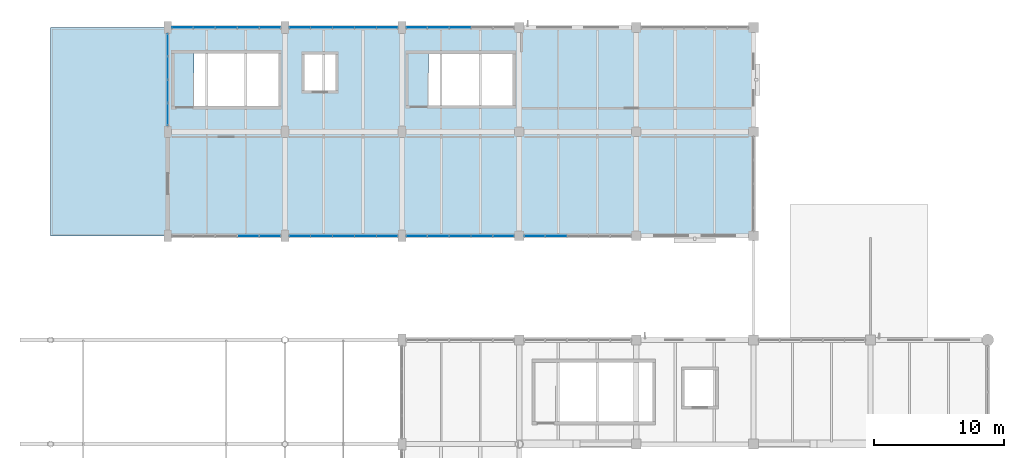
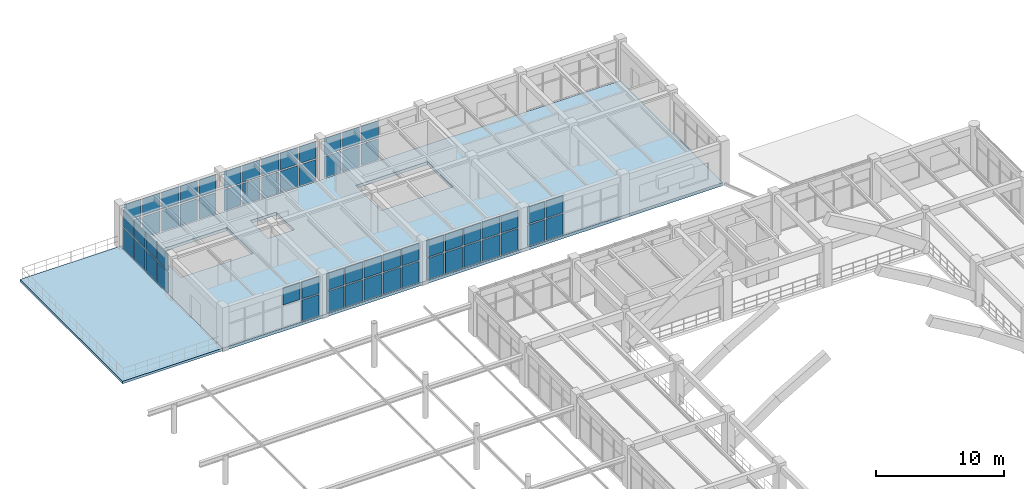
# One storey, part 119 of 148: 61 plates, 2 slabs, 8 elements without a shape of their own.
"""IFC4 building model written with IfcOpenShell, lengths in metres."""

from ifc_helpers import new_model, si_unit, derived_unit, direction, frame, origin, origin_2d, place, context, subcontext, project, spatial, polyline, rectangle, outline, extrude, material, layer, layer_set, type_object, element, aggregate, save


model = new_model("IFC4")

# Units and contexts
model_context = context("Model", 3, precision=1e-05, world=origin(), true_north=direction((0.0, 1.0)))
body_context = subcontext(model_context, "Body", "Model", "MODEL_VIEW")
ifc_project = project(units=[si_unit("LENGTHUNIT", "METRE"), si_unit("AREAUNIT", "SQUARE_METRE"), si_unit("VOLUMEUNIT", "CUBIC_METRE"), si_unit("PLANEANGLEUNIT", "RADIAN"), si_unit("MASSUNIT", "GRAM", prefix="KILO"), derived_unit("THERMALTRANSMITTANCEUNIT", [(si_unit("MASSUNIT", "GRAM", prefix="KILO"), 1), (si_unit("TIMEUNIT", "SECOND"), -3), (si_unit("THERMODYNAMICTEMPERATUREUNIT", "KELVIN"), -1)])], contexts=[model_context])

# Site, building, storey
site_placement = place(None, origin())
site = spatial("IfcSite", under=ifc_project, at=site_placement, CompositionType="ELEMENT")
building_placement = place(site_placement, origin())
building = spatial("IfcBuilding", under=site, at=building_placement, Name="Zhenchuan Archway Interchange", CompositionType="ELEMENT")
storey_placement = place(building_placement, frame((0.0, 0.0, 10.199951171875)))
storey = spatial("IfcBuildingStorey", under=building, at=storey_placement, Name="L02", CompositionType="ELEMENT", Elevation=10.199951171875)

# Curtain wall, plates
ifc_material_1 = material(Name="Anodised Aluminium", Category="aluminium")
curtain_wall_type_1 = type_object("IfcCurtainWallType", Name="CW_UNIT_3", PredefinedType="NOTDEFINED", material=ifc_material_1)
curtain_wall_1_placement = place(storey_placement, origin())
curtain_wall_1 = element("IfcCurtainWall", 1, at=curtain_wall_1_placement, inside=storey, type_object=curtain_wall_type_1, Name="Unitised curtain wall CW:L02:134", PredefinedType="NOTDEFINED")
ifc_material_2 = material(Name="Double Low-E Insulated Glazing", Category="glass")
ifc_layer_1 = layer(ifc_material_2, 0.028076171875)
ifc_layer_set_1 = layer_set([ifc_layer_1], Name="Double Low-E Insulated Glazing")
plate_type_1 = type_object("IfcPlateType", Name="CW_GLZ_1", PredefinedType="CURTAIN_PANEL", material=ifc_layer_set_1)
plate_1_placement = place(storey_placement, frame((38.837158203125, 96.0, 0.080078125), z_axis=(0.0, 0.0, 1.0), x_axis=(-1.0, 0.0, 0.0)))
plate_1 = element("IfcPlate", 2, at=plate_1_placement, type_object=plate_type_1, Name="CW:L02:134 lower glazing panel 3", PredefinedType="CURTAIN_PANEL", context=body_context, shape_type="SweptSolid", body=[
    extrude(rectangle(XDim=1.522705078125, YDim=0.028076171875, at=origin_2d()), origin(), (0.0, 0.0, 1.0), 2.01611328125),
])
plate_2_placement = place(storey_placement, frame((37.184326171875, 96.0, 0.080078125), z_axis=(0.0, 0.0, 1.0), x_axis=(-1.0, 0.0, 0.0)))
plate_2 = element("IfcPlate", 3, at=plate_2_placement, type_object=plate_type_1, Name="CW:L02:134 lower glazing panel 4", PredefinedType="CURTAIN_PANEL", context=body_context, shape_type="SweptSolid", body=[
    extrude(rectangle(XDim=1.502685546875, YDim=0.028076171875, at=origin_2d()), origin(), (0.0, 0.0, 1.0), 2.01611328125),
])

curtain_wall_type_2 = type_object("IfcCurtainWallType", Name="CW_UNIT_4", PredefinedType="NOTDEFINED", material=ifc_material_1)
curtain_wall_2_placement = place(storey_placement, origin())
curtain_wall_2 = element("IfcCurtainWall", 4, at=curtain_wall_2_placement, inside=storey, type_object=curtain_wall_type_2, Name="Unitised curtain wall CW:L02:135", PredefinedType="NOTDEFINED")
plate_3_placement = place(storey_placement, frame((34.80810546875, 96.0, 0.080078125), z_axis=(0.0, 0.0, 1.0), x_axis=(-1.0, 0.0, 0.0)))
plate_3 = element("IfcPlate", 5, at=plate_3_placement, type_object=plate_type_1, Name="CW:L02:135 lower glazing panel 0", PredefinedType="CURTAIN_PANEL", context=body_context, shape_type="SweptSolid", body=[
    extrude(rectangle(XDim=1.517822265625, YDim=0.028076171875, at=origin_2d()), origin(), (0.0, 0.0, 1.0), 2.01611328125),
])
plate_4_placement = place(storey_placement, frame((33.140380859375, 96.0, 0.080078125), z_axis=(0.0, 0.0, 1.0), x_axis=(-1.0, 0.0, 0.0)))
plate_4 = element("IfcPlate", 6, at=plate_4_placement, type_object=plate_type_1, Name="CW:L02:135 lower glazing panel 1", PredefinedType="CURTAIN_PANEL", context=body_context, shape_type="SweptSolid", body=[
    extrude(rectangle(XDim=1.537841796875, YDim=0.028076171875, at=origin_2d()), origin(), (0.0, 0.0, 1.0), 2.01611328125),
])
plate_5_placement = place(storey_placement, frame((31.46240234375, 96.0, 0.080078125), z_axis=(0.0, 0.0, 1.0), x_axis=(-1.0, 0.0, 0.0)))
plate_5 = element("IfcPlate", 7, at=plate_5_placement, type_object=plate_type_1, Name="CW:L02:135 lower glazing panel 2", PredefinedType="CURTAIN_PANEL", context=body_context, shape_type="SweptSolid", body=[
    extrude(rectangle(XDim=1.537841796875, YDim=0.028076171875, at=origin_2d()), origin(), (0.0, 0.0, 1.0), 2.01611328125),
])
plate_6_placement = place(storey_placement, frame((29.78466796875, 96.0, 0.080078125), z_axis=(0.0, 0.0, 1.0), x_axis=(-1.0, 0.0, 0.0)))
plate_6 = element("IfcPlate", 8, at=plate_6_placement, type_object=plate_type_1, Name="CW:L02:135 lower glazing panel 3", PredefinedType="CURTAIN_PANEL", context=body_context, shape_type="SweptSolid", body=[
    extrude(rectangle(XDim=1.537841796875, YDim=0.028076171875, at=origin_2d()), origin(), (0.0, 0.0, 1.0), 2.01611328125),
])
plate_7_placement = place(storey_placement, frame((28.116943359375, 96.0, 0.080078125), z_axis=(0.0, 0.0, 1.0), x_axis=(-1.0, 0.0, 0.0)))
plate_7 = element("IfcPlate", 9, at=plate_7_placement, type_object=plate_type_1, Name="CW:L02:135 lower glazing panel 4", PredefinedType="CURTAIN_PANEL", context=body_context, shape_type="SweptSolid", body=[
    extrude(rectangle(XDim=1.517822265625, YDim=0.028076171875, at=origin_2d()), origin(), (0.0, 0.0, 1.0), 2.01611328125),
])

curtain_wall_type_3 = type_object("IfcCurtainWallType", Name="CW_UNIT_1", PredefinedType="NOTDEFINED", material=ifc_material_1)
curtain_wall_3_placement = place(storey_placement, origin())
curtain_wall_3 = element("IfcCurtainWall", 10, at=curtain_wall_3_placement, inside=storey, type_object=curtain_wall_type_3, Name="Unitised curtain wall CW:L02:136", PredefinedType="NOTDEFINED")
plate_8_placement = place(storey_placement, frame((25.87548828125, 96.0, 0.080078125), z_axis=(0.0, 0.0, 1.0), x_axis=(-1.0, 0.0, 0.0)))
plate_8 = element("IfcPlate", 11, at=plate_8_placement, type_object=plate_type_1, Name="CW:L02:136 lower glazing panel 0", PredefinedType="CURTAIN_PANEL", context=body_context, shape_type="SweptSolid", body=[
    extrude(rectangle(XDim=1.53271484375, YDim=0.028076171875, at=origin_2d()), origin(), (0.0, 0.0, 1.0), 2.01611328125),
])
plate_9_placement = place(storey_placement, frame((24.19287109375, 96.0, 0.080078125), z_axis=(0.0, 0.0, 1.0), x_axis=(-1.0, 0.0, 0.0)))
plate_9 = element("IfcPlate", 12, at=plate_9_placement, type_object=plate_type_1, Name="CW:L02:136 lower glazing panel 1", PredefinedType="CURTAIN_PANEL", context=body_context, shape_type="SweptSolid", body=[
    extrude(rectangle(XDim=1.552734375, YDim=0.028076171875, at=origin_2d()), origin(), (0.0, 0.0, 1.0), 2.01611328125),
])
plate_10_placement = place(storey_placement, frame((22.5, 96.0, 0.080078125), z_axis=(0.0, 0.0, 1.0), x_axis=(-1.0, 0.0, 0.0)))
plate_10 = element("IfcPlate", 13, at=plate_10_placement, type_object=plate_type_1, Name="CW:L02:136 lower glazing panel 2", PredefinedType="CURTAIN_PANEL", context=body_context, shape_type="SweptSolid", body=[
    extrude(rectangle(XDim=1.552734375, YDim=0.028076171875, at=origin_2d()), origin(), (0.0, 0.0, 1.0), 2.01611328125),
])
plate_11_placement = place(storey_placement, frame((20.80712890625, 96.0, 0.080078125), z_axis=(0.0, 0.0, 1.0), x_axis=(-1.0, 0.0, 0.0)))
plate_11 = element("IfcPlate", 14, at=plate_11_placement, type_object=plate_type_1, Name="CW:L02:136 lower glazing panel 3", PredefinedType="CURTAIN_PANEL", context=body_context, shape_type="SweptSolid", body=[
    extrude(rectangle(XDim=1.552734375, YDim=0.028076171875, at=origin_2d()), origin(), (0.0, 0.0, 1.0), 2.01611328125),
])
plate_12_placement = place(storey_placement, frame((19.12451171875, 96.0, 0.080078125), z_axis=(0.0, 0.0, 1.0), x_axis=(-1.0, 0.0, 0.0)))
plate_12 = element("IfcPlate", 15, at=plate_12_placement, type_object=plate_type_1, Name="CW:L02:136 lower glazing panel 4", PredefinedType="CURTAIN_PANEL", context=body_context, shape_type="SweptSolid", body=[
    extrude(rectangle(XDim=1.53271484375, YDim=0.028076171875, at=origin_2d()), origin(), (0.0, 0.0, 1.0), 2.01611328125),
])

# Curtain wall, plate
curtain_wall_type_4 = type_object("IfcCurtainWallType", Name="CW_UNIT_2", PredefinedType="NOTDEFINED", material=ifc_material_1)
curtain_wall_4_placement = place(storey_placement, origin())
curtain_wall_4 = element("IfcCurtainWall", 16, at=curtain_wall_4_placement, inside=storey, type_object=curtain_wall_type_4, Name="Unitised curtain wall CW:L02:137", PredefinedType="NOTDEFINED")
plate_13_placement = place(storey_placement, frame((16.87548828125, 96.0, 0.080078125), z_axis=(0.0, 0.0, 1.0), x_axis=(-1.0, 0.0, 0.0)))
plate_13 = element("IfcPlate", 17, at=plate_13_placement, type_object=plate_type_1, Name="CW:L02:137 lower glazing panel 0", PredefinedType="CURTAIN_PANEL", context=body_context, shape_type="SweptSolid", body=[
    extrude(rectangle(XDim=1.53271484375, YDim=0.028076171875, at=origin_2d()), origin(), (0.0, 0.0, 1.0), 2.01611328125),
])

# Curtain wall, plates
curtain_wall_5_placement = place(storey_placement, origin())
curtain_wall_5 = element("IfcCurtainWall", 18, at=curtain_wall_5_placement, inside=storey, type_object=curtain_wall_type_2, Name="Unitised curtain wall CW:L02:139", PredefinedType="NOTDEFINED")
plate_14_placement = place(storey_placement, frame((10.12451171875, 112.0, 0.080078125), z_axis=(0.0, 0.0, 1.0), x_axis=(1.0, 0.0, 0.0)))
plate_14 = element("IfcPlate", 19, at=plate_14_placement, type_object=plate_type_1, Name="CW:L02:139 lower glazing panel 0", PredefinedType="CURTAIN_PANEL", context=body_context, shape_type="SweptSolid", body=[
    extrude(rectangle(XDim=1.53271484375, YDim=0.028076171875, at=origin_2d()), origin(), (0.0, 0.0, 1.0), 2.01611328125),
])
plate_15_placement = place(storey_placement, frame((11.80712890625, 112.0, 0.080078125), z_axis=(0.0, 0.0, 1.0), x_axis=(1.0, 0.0, 0.0)))
plate_15 = element("IfcPlate", 20, at=plate_15_placement, type_object=plate_type_1, Name="CW:L02:139 lower glazing panel 1", PredefinedType="CURTAIN_PANEL", context=body_context, shape_type="SweptSolid", body=[
    extrude(rectangle(XDim=1.552734375, YDim=0.028076171875, at=origin_2d()), origin(), (0.0, 0.0, 1.0), 2.01611328125),
])
plate_16_placement = place(storey_placement, frame((13.5, 112.0, 0.080078125), z_axis=(0.0, 0.0, 1.0), x_axis=(1.0, 0.0, 0.0)))
plate_16 = element("IfcPlate", 21, at=plate_16_placement, type_object=plate_type_1, Name="CW:L02:139 lower glazing panel 2", PredefinedType="CURTAIN_PANEL", context=body_context, shape_type="SweptSolid", body=[
    extrude(rectangle(XDim=1.552734375, YDim=0.028076171875, at=origin_2d()), origin(), (0.0, 0.0, 1.0), 2.01611328125),
])
plate_17_placement = place(storey_placement, frame((15.19287109375, 112.0, 0.080078125), z_axis=(0.0, 0.0, 1.0), x_axis=(1.0, 0.0, 0.0)))
plate_17 = element("IfcPlate", 22, at=plate_17_placement, type_object=plate_type_1, Name="CW:L02:139 lower glazing panel 3", PredefinedType="CURTAIN_PANEL", context=body_context, shape_type="SweptSolid", body=[
    extrude(rectangle(XDim=1.552734375, YDim=0.028076171875, at=origin_2d()), origin(), (0.0, 0.0, 1.0), 2.01611328125),
])
plate_18_placement = place(storey_placement, frame((16.87548828125, 112.0, 0.080078125), z_axis=(0.0, 0.0, 1.0), x_axis=(1.0, 0.0, 0.0)))
plate_18 = element("IfcPlate", 23, at=plate_18_placement, type_object=plate_type_1, Name="CW:L02:139 lower glazing panel 4", PredefinedType="CURTAIN_PANEL", context=body_context, shape_type="SweptSolid", body=[
    extrude(rectangle(XDim=1.53271484375, YDim=0.028076171875, at=origin_2d()), origin(), (0.0, 0.0, 1.0), 2.01611328125),
])

curtain_wall_6_placement = place(storey_placement, origin())
curtain_wall_6 = element("IfcCurtainWall", 24, at=curtain_wall_6_placement, inside=storey, type_object=curtain_wall_type_3, Name="Unitised curtain wall CW:L02:140", PredefinedType="NOTDEFINED")
plate_19_placement = place(storey_placement, frame((19.12451171875, 112.0, 0.080078125), z_axis=(0.0, 0.0, 1.0), x_axis=(1.0, 0.0, 0.0)))
plate_19 = element("IfcPlate", 25, at=plate_19_placement, type_object=plate_type_1, Name="CW:L02:140 lower glazing panel 0", PredefinedType="CURTAIN_PANEL", context=body_context, shape_type="SweptSolid", body=[
    extrude(rectangle(XDim=1.53271484375, YDim=0.028076171875, at=origin_2d()), origin(), (0.0, 0.0, 1.0), 2.01611328125),
])
plate_20_placement = place(storey_placement, frame((20.80712890625, 112.0, 0.080078125), z_axis=(0.0, 0.0, 1.0), x_axis=(1.0, 0.0, 0.0)))
plate_20 = element("IfcPlate", 26, at=plate_20_placement, type_object=plate_type_1, Name="CW:L02:140 lower glazing panel 1", PredefinedType="CURTAIN_PANEL", context=body_context, shape_type="SweptSolid", body=[
    extrude(rectangle(XDim=1.552734375, YDim=0.028076171875, at=origin_2d()), origin(), (0.0, 0.0, 1.0), 2.01611328125),
])
plate_21_placement = place(storey_placement, frame((22.5, 112.0, 0.080078125), z_axis=(0.0, 0.0, 1.0), x_axis=(1.0, 0.0, 0.0)))
plate_21 = element("IfcPlate", 27, at=plate_21_placement, type_object=plate_type_1, Name="CW:L02:140 lower glazing panel 2", PredefinedType="CURTAIN_PANEL", context=body_context, shape_type="SweptSolid", body=[
    extrude(rectangle(XDim=1.552734375, YDim=0.028076171875, at=origin_2d()), origin(), (0.0, 0.0, 1.0), 2.01611328125),
])
plate_22_placement = place(storey_placement, frame((24.19287109375, 112.0, 0.080078125), z_axis=(0.0, 0.0, 1.0), x_axis=(1.0, 0.0, 0.0)))
plate_22 = element("IfcPlate", 28, at=plate_22_placement, type_object=plate_type_1, Name="CW:L02:140 lower glazing panel 3", PredefinedType="CURTAIN_PANEL", context=body_context, shape_type="SweptSolid", body=[
    extrude(rectangle(XDim=1.552734375, YDim=0.028076171875, at=origin_2d()), origin(), (0.0, 0.0, 1.0), 2.01611328125),
])
plate_23_placement = place(storey_placement, frame((25.87548828125, 112.0, 0.080078125), z_axis=(0.0, 0.0, 1.0), x_axis=(1.0, 0.0, 0.0)))
plate_23 = element("IfcPlate", 29, at=plate_23_placement, type_object=plate_type_1, Name="CW:L02:140 lower glazing panel 4", PredefinedType="CURTAIN_PANEL", context=body_context, shape_type="SweptSolid", body=[
    extrude(rectangle(XDim=1.53271484375, YDim=0.028076171875, at=origin_2d()), origin(), (0.0, 0.0, 1.0), 2.01611328125),
])

curtain_wall_7_placement = place(storey_placement, origin())
curtain_wall_7 = element("IfcCurtainWall", 30, at=curtain_wall_7_placement, inside=storey, type_object=curtain_wall_type_4, Name="Unitised curtain wall CW:L02:141", PredefinedType="NOTDEFINED")
plate_24_placement = place(storey_placement, frame((28.116943359375, 112.0, 0.080078125), z_axis=(0.0, 0.0, 1.0), x_axis=(1.0, 0.0, 0.0)))
plate_24 = element("IfcPlate", 31, at=plate_24_placement, type_object=plate_type_1, Name="CW:L02:141 lower glazing panel 0", PredefinedType="CURTAIN_PANEL", context=body_context, shape_type="SweptSolid", body=[
    extrude(rectangle(XDim=1.517822265625, YDim=0.028076171875, at=origin_2d()), origin(), (0.0, 0.0, 1.0), 2.01611328125),
])
plate_25_placement = place(storey_placement, frame((29.78466796875, 112.0, 0.080078125), z_axis=(0.0, 0.0, 1.0), x_axis=(1.0, 0.0, 0.0)))
plate_25 = element("IfcPlate", 32, at=plate_25_placement, type_object=plate_type_1, Name="CW:L02:141 lower glazing panel 1", PredefinedType="CURTAIN_PANEL", context=body_context, shape_type="SweptSolid", body=[
    extrude(rectangle(XDim=1.537841796875, YDim=0.028076171875, at=origin_2d()), origin(), (0.0, 0.0, 1.0), 2.01611328125),
])
plate_26_placement = place(storey_placement, frame((31.46240234375, 112.0, 0.080078125), z_axis=(0.0, 0.0, 1.0), x_axis=(1.0, 0.0, 0.0)))
plate_26 = element("IfcPlate", 33, at=plate_26_placement, type_object=plate_type_1, Name="CW:L02:141 lower glazing panel 2", PredefinedType="CURTAIN_PANEL", context=body_context, shape_type="SweptSolid", body=[
    extrude(rectangle(XDim=1.537841796875, YDim=0.028076171875, at=origin_2d()), origin(), (0.0, 0.0, 1.0), 2.01611328125),
])

# Plate
ifc_layer_2 = layer(ifc_material_2, 0.02587890625)
ifc_layer_set_2 = layer_set([ifc_layer_2], Name="Double Low-E Insulated Glazing")
plate_type_2 = type_object("IfcPlateType", Name="CW_GLZ_2", PredefinedType="CURTAIN_PANEL", material=ifc_layer_set_2)
plate_27_placement = place(storey_placement, frame((38.837158203125, 96.0, 2.216064453125), z_axis=(0.0, 0.0, 1.0), x_axis=(-1.0, 0.0, 0.0)))
plate_27 = element("IfcPlate", 34, at=plate_27_placement, type_object=plate_type_2, Name="CW:L02:134 upper glazing panel 3", PredefinedType="CURTAIN_PANEL", context=body_context, shape_type="SweptSolid", body=[
    extrude(rectangle(XDim=1.522705078125, YDim=0.02587890625, at=origin_2d()), origin(), (0.0, 0.0, 1.0), 1.6240234375),
])

plate_28_placement = place(storey_placement, frame((37.184326171875, 96.0, 2.216064453125), z_axis=(0.0, 0.0, 1.0), x_axis=(-1.0, 0.0, 0.0)))
plate_28 = element("IfcPlate", 35, at=plate_28_placement, type_object=plate_type_2, Name="CW:L02:134 upper glazing panel 4", PredefinedType="CURTAIN_PANEL", context=body_context, shape_type="SweptSolid", body=[
    extrude(rectangle(XDim=1.502685546875, YDim=0.02587890625, at=origin_2d()), origin(), (0.0, 0.0, 1.0), 1.6240234375),
])

aggregate(curtain_wall_1, [plate_1, plate_27, plate_2, plate_28])

plate_29_placement = place(storey_placement, frame((34.80810546875, 96.0, 2.216064453125), z_axis=(0.0, 0.0, 1.0), x_axis=(-1.0, 0.0, 0.0)))
plate_29 = element("IfcPlate", 36, at=plate_29_placement, type_object=plate_type_2, Name="CW:L02:135 upper glazing panel 0", PredefinedType="CURTAIN_PANEL", context=body_context, shape_type="SweptSolid", body=[
    extrude(rectangle(XDim=1.517822265625, YDim=0.02587890625, at=origin_2d()), origin(), (0.0, 0.0, 1.0), 1.6240234375),
])

plate_30_placement = place(storey_placement, frame((33.140380859375, 96.0, 2.216064453125), z_axis=(0.0, 0.0, 1.0), x_axis=(-1.0, 0.0, 0.0)))
plate_30 = element("IfcPlate", 37, at=plate_30_placement, type_object=plate_type_2, Name="CW:L02:135 upper glazing panel 1", PredefinedType="CURTAIN_PANEL", context=body_context, shape_type="SweptSolid", body=[
    extrude(rectangle(XDim=1.537841796875, YDim=0.02587890625, at=origin_2d()), origin(), (0.0, 0.0, 1.0), 1.6240234375),
])

plate_31_placement = place(storey_placement, frame((31.46240234375, 96.0, 2.216064453125), z_axis=(0.0, 0.0, 1.0), x_axis=(-1.0, 0.0, 0.0)))
plate_31 = element("IfcPlate", 38, at=plate_31_placement, type_object=plate_type_2, Name="CW:L02:135 upper glazing panel 2", PredefinedType="CURTAIN_PANEL", context=body_context, shape_type="SweptSolid", body=[
    extrude(rectangle(XDim=1.537841796875, YDim=0.02587890625, at=origin_2d()), origin(), (0.0, 0.0, 1.0), 1.6240234375),
])

plate_32_placement = place(storey_placement, frame((29.78466796875, 96.0, 2.216064453125), z_axis=(0.0, 0.0, 1.0), x_axis=(-1.0, 0.0, 0.0)))
plate_32 = element("IfcPlate", 39, at=plate_32_placement, type_object=plate_type_2, Name="CW:L02:135 upper glazing panel 3", PredefinedType="CURTAIN_PANEL", context=body_context, shape_type="SweptSolid", body=[
    extrude(rectangle(XDim=1.537841796875, YDim=0.02587890625, at=origin_2d()), origin(), (0.0, 0.0, 1.0), 1.6240234375),
])

plate_33_placement = place(storey_placement, frame((28.116943359375, 96.0, 2.216064453125), z_axis=(0.0, 0.0, 1.0), x_axis=(-1.0, 0.0, 0.0)))
plate_33 = element("IfcPlate", 40, at=plate_33_placement, type_object=plate_type_2, Name="CW:L02:135 upper glazing panel 4", PredefinedType="CURTAIN_PANEL", context=body_context, shape_type="SweptSolid", body=[
    extrude(rectangle(XDim=1.517822265625, YDim=0.02587890625, at=origin_2d()), origin(), (0.0, 0.0, 1.0), 1.6240234375),
])

aggregate(curtain_wall_2, [plate_3, plate_29, plate_4, plate_30, plate_5, plate_31, plate_6, plate_32, plate_7, plate_33])

plate_34_placement = place(storey_placement, frame((25.87548828125, 96.0, 2.216064453125), z_axis=(0.0, 0.0, 1.0), x_axis=(-1.0, 0.0, 0.0)))
plate_34 = element("IfcPlate", 41, at=plate_34_placement, type_object=plate_type_2, Name="CW:L02:136 upper glazing panel 0", PredefinedType="CURTAIN_PANEL", context=body_context, shape_type="SweptSolid", body=[
    extrude(rectangle(XDim=1.53271484375, YDim=0.02587890625, at=origin_2d()), origin(), (0.0, 0.0, 1.0), 1.6240234375),
])

plate_35_placement = place(storey_placement, frame((24.19287109375, 96.0, 2.216064453125), z_axis=(0.0, 0.0, 1.0), x_axis=(-1.0, 0.0, 0.0)))
plate_35 = element("IfcPlate", 42, at=plate_35_placement, type_object=plate_type_2, Name="CW:L02:136 upper glazing panel 1", PredefinedType="CURTAIN_PANEL", context=body_context, shape_type="SweptSolid", body=[
    extrude(rectangle(XDim=1.552734375, YDim=0.02587890625, at=origin_2d()), origin(), (0.0, 0.0, 1.0), 1.6240234375),
])

plate_36_placement = place(storey_placement, frame((22.5, 96.0, 2.216064453125), z_axis=(0.0, 0.0, 1.0), x_axis=(-1.0, 0.0, 0.0)))
plate_36 = element("IfcPlate", 43, at=plate_36_placement, type_object=plate_type_2, Name="CW:L02:136 upper glazing panel 2", PredefinedType="CURTAIN_PANEL", context=body_context, shape_type="SweptSolid", body=[
    extrude(rectangle(XDim=1.552734375, YDim=0.02587890625, at=origin_2d()), origin(), (0.0, 0.0, 1.0), 1.6240234375),
])

plate_37_placement = place(storey_placement, frame((20.80712890625, 96.0, 2.216064453125), z_axis=(0.0, 0.0, 1.0), x_axis=(-1.0, 0.0, 0.0)))
plate_37 = element("IfcPlate", 44, at=plate_37_placement, type_object=plate_type_2, Name="CW:L02:136 upper glazing panel 3", PredefinedType="CURTAIN_PANEL", context=body_context, shape_type="SweptSolid", body=[
    extrude(rectangle(XDim=1.552734375, YDim=0.02587890625, at=origin_2d()), origin(), (0.0, 0.0, 1.0), 1.6240234375),
])

plate_38_placement = place(storey_placement, frame((19.12451171875, 96.0, 2.216064453125), z_axis=(0.0, 0.0, 1.0), x_axis=(-1.0, 0.0, 0.0)))
plate_38 = element("IfcPlate", 45, at=plate_38_placement, type_object=plate_type_2, Name="CW:L02:136 upper glazing panel 4", PredefinedType="CURTAIN_PANEL", context=body_context, shape_type="SweptSolid", body=[
    extrude(rectangle(XDim=1.53271484375, YDim=0.02587890625, at=origin_2d()), origin(), (0.0, 0.0, 1.0), 1.6240234375),
])

aggregate(curtain_wall_3, [plate_8, plate_34, plate_9, plate_35, plate_10, plate_36, plate_11, plate_37, plate_12, plate_38])

plate_39_placement = place(storey_placement, frame((16.87548828125, 96.0, 2.216064453125), z_axis=(0.0, 0.0, 1.0), x_axis=(-1.0, 0.0, 0.0)))
plate_39 = element("IfcPlate", 46, at=plate_39_placement, type_object=plate_type_2, Name="CW:L02:137 upper glazing panel 0", PredefinedType="CURTAIN_PANEL", context=body_context, shape_type="SweptSolid", body=[
    extrude(rectangle(XDim=1.53271484375, YDim=0.02587890625, at=origin_2d()), origin(), (0.0, 0.0, 1.0), 1.6240234375),
])

plate_40_placement = place(storey_placement, frame((15.19287109375, 96.0, 2.216064453125), z_axis=(0.0, 0.0, 1.0), x_axis=(-1.0, 0.0, 0.0)))
plate_40 = element("IfcPlate", 47, at=plate_40_placement, type_object=plate_type_2, Name="CW:L02:137 upper glazing panel 1", PredefinedType="CURTAIN_PANEL", context=body_context, shape_type="SweptSolid", body=[
    extrude(rectangle(XDim=1.552734375, YDim=0.02587890625, at=origin_2d()), origin(), (0.0, 0.0, 1.0), 1.6240234375),
])

aggregate(curtain_wall_4, [plate_13, plate_39, plate_40])

plate_41_placement = place(storey_placement, frame((10.12451171875, 112.0, 2.216064453125), z_axis=(0.0, 0.0, 1.0), x_axis=(1.0, 0.0, 0.0)))
plate_41 = element("IfcPlate", 48, at=plate_41_placement, type_object=plate_type_2, Name="CW:L02:139 upper glazing panel 0", PredefinedType="CURTAIN_PANEL", context=body_context, shape_type="SweptSolid", body=[
    extrude(rectangle(XDim=1.53271484375, YDim=0.02587890625, at=origin_2d()), origin(), (0.0, 0.0, 1.0), 1.6240234375),
])

plate_42_placement = place(storey_placement, frame((11.80712890625, 112.0, 2.216064453125), z_axis=(0.0, 0.0, 1.0), x_axis=(1.0, 0.0, 0.0)))
plate_42 = element("IfcPlate", 49, at=plate_42_placement, type_object=plate_type_2, Name="CW:L02:139 upper glazing panel 1", PredefinedType="CURTAIN_PANEL", context=body_context, shape_type="SweptSolid", body=[
    extrude(rectangle(XDim=1.552734375, YDim=0.02587890625, at=origin_2d()), origin(), (0.0, 0.0, 1.0), 1.6240234375),
])

plate_43_placement = place(storey_placement, frame((13.5, 112.0, 2.216064453125), z_axis=(0.0, 0.0, 1.0), x_axis=(1.0, 0.0, 0.0)))
plate_43 = element("IfcPlate", 50, at=plate_43_placement, type_object=plate_type_2, Name="CW:L02:139 upper glazing panel 2", PredefinedType="CURTAIN_PANEL", context=body_context, shape_type="SweptSolid", body=[
    extrude(rectangle(XDim=1.552734375, YDim=0.02587890625, at=origin_2d()), origin(), (0.0, 0.0, 1.0), 1.6240234375),
])

plate_44_placement = place(storey_placement, frame((15.19287109375, 112.0, 2.216064453125), z_axis=(0.0, 0.0, 1.0), x_axis=(1.0, 0.0, 0.0)))
plate_44 = element("IfcPlate", 51, at=plate_44_placement, type_object=plate_type_2, Name="CW:L02:139 upper glazing panel 3", PredefinedType="CURTAIN_PANEL", context=body_context, shape_type="SweptSolid", body=[
    extrude(rectangle(XDim=1.552734375, YDim=0.02587890625, at=origin_2d()), origin(), (0.0, 0.0, 1.0), 1.6240234375),
])

plate_45_placement = place(storey_placement, frame((16.87548828125, 112.0, 2.216064453125), z_axis=(0.0, 0.0, 1.0), x_axis=(1.0, 0.0, 0.0)))
plate_45 = element("IfcPlate", 52, at=plate_45_placement, type_object=plate_type_2, Name="CW:L02:139 upper glazing panel 4", PredefinedType="CURTAIN_PANEL", context=body_context, shape_type="SweptSolid", body=[
    extrude(rectangle(XDim=1.53271484375, YDim=0.02587890625, at=origin_2d()), origin(), (0.0, 0.0, 1.0), 1.6240234375),
])

aggregate(curtain_wall_5, [plate_14, plate_41, plate_15, plate_42, plate_16, plate_43, plate_17, plate_44, plate_18, plate_45])

plate_46_placement = place(storey_placement, frame((19.12451171875, 112.0, 2.216064453125), z_axis=(0.0, 0.0, 1.0), x_axis=(1.0, 0.0, 0.0)))
plate_46 = element("IfcPlate", 53, at=plate_46_placement, type_object=plate_type_2, Name="CW:L02:140 upper glazing panel 0", PredefinedType="CURTAIN_PANEL", context=body_context, shape_type="SweptSolid", body=[
    extrude(rectangle(XDim=1.53271484375, YDim=0.02587890625, at=origin_2d()), origin(), (0.0, 0.0, 1.0), 1.6240234375),
])

plate_47_placement = place(storey_placement, frame((20.80712890625, 112.0, 2.216064453125), z_axis=(0.0, 0.0, 1.0), x_axis=(1.0, 0.0, 0.0)))
plate_47 = element("IfcPlate", 54, at=plate_47_placement, type_object=plate_type_2, Name="CW:L02:140 upper glazing panel 1", PredefinedType="CURTAIN_PANEL", context=body_context, shape_type="SweptSolid", body=[
    extrude(rectangle(XDim=1.552734375, YDim=0.02587890625, at=origin_2d()), origin(), (0.0, 0.0, 1.0), 1.6240234375),
])

plate_48_placement = place(storey_placement, frame((22.5, 112.0, 2.216064453125), z_axis=(0.0, 0.0, 1.0), x_axis=(1.0, 0.0, 0.0)))
plate_48 = element("IfcPlate", 55, at=plate_48_placement, type_object=plate_type_2, Name="CW:L02:140 upper glazing panel 2", PredefinedType="CURTAIN_PANEL", context=body_context, shape_type="SweptSolid", body=[
    extrude(rectangle(XDim=1.552734375, YDim=0.02587890625, at=origin_2d()), origin(), (0.0, 0.0, 1.0), 1.6240234375),
])

plate_49_placement = place(storey_placement, frame((24.19287109375, 112.0, 2.216064453125), z_axis=(0.0, 0.0, 1.0), x_axis=(1.0, 0.0, 0.0)))
plate_49 = element("IfcPlate", 56, at=plate_49_placement, type_object=plate_type_2, Name="CW:L02:140 upper glazing panel 3", PredefinedType="CURTAIN_PANEL", context=body_context, shape_type="SweptSolid", body=[
    extrude(rectangle(XDim=1.552734375, YDim=0.02587890625, at=origin_2d()), origin(), (0.0, 0.0, 1.0), 1.6240234375),
])

plate_50_placement = place(storey_placement, frame((25.87548828125, 112.0, 2.216064453125), z_axis=(0.0, 0.0, 1.0), x_axis=(1.0, 0.0, 0.0)))
plate_50 = element("IfcPlate", 57, at=plate_50_placement, type_object=plate_type_2, Name="CW:L02:140 upper glazing panel 4", PredefinedType="CURTAIN_PANEL", context=body_context, shape_type="SweptSolid", body=[
    extrude(rectangle(XDim=1.53271484375, YDim=0.02587890625, at=origin_2d()), origin(), (0.0, 0.0, 1.0), 1.6240234375),
])

aggregate(curtain_wall_6, [plate_19, plate_46, plate_20, plate_47, plate_21, plate_48, plate_22, plate_49, plate_23, plate_50])

plate_51_placement = place(storey_placement, frame((28.116943359375, 112.0, 2.216064453125), z_axis=(0.0, 0.0, 1.0), x_axis=(1.0, 0.0, 0.0)))
plate_51 = element("IfcPlate", 58, at=plate_51_placement, type_object=plate_type_2, Name="CW:L02:141 upper glazing panel 0", PredefinedType="CURTAIN_PANEL", context=body_context, shape_type="SweptSolid", body=[
    extrude(rectangle(XDim=1.517822265625, YDim=0.02587890625, at=origin_2d()), origin(), (0.0, 0.0, 1.0), 1.6240234375),
])

plate_52_placement = place(storey_placement, frame((29.78466796875, 112.0, 2.216064453125), z_axis=(0.0, 0.0, 1.0), x_axis=(1.0, 0.0, 0.0)))
plate_52 = element("IfcPlate", 59, at=plate_52_placement, type_object=plate_type_2, Name="CW:L02:141 upper glazing panel 1", PredefinedType="CURTAIN_PANEL", context=body_context, shape_type="SweptSolid", body=[
    extrude(rectangle(XDim=1.537841796875, YDim=0.02587890625, at=origin_2d()), origin(), (0.0, 0.0, 1.0), 1.6240234375),
])

plate_53_placement = place(storey_placement, frame((31.46240234375, 112.0, 2.216064453125), z_axis=(0.0, 0.0, 1.0), x_axis=(1.0, 0.0, 0.0)))
plate_53 = element("IfcPlate", 60, at=plate_53_placement, type_object=plate_type_2, Name="CW:L02:141 upper glazing panel 2", PredefinedType="CURTAIN_PANEL", context=body_context, shape_type="SweptSolid", body=[
    extrude(rectangle(XDim=1.537841796875, YDim=0.02587890625, at=origin_2d()), origin(), (0.0, 0.0, 1.0), 1.6240234375),
])

aggregate(curtain_wall_7, [plate_24, plate_51, plate_25, plate_52, plate_26, plate_53])

# Curtain wall, plates
curtain_wall_8_placement = place(storey_placement, origin())
curtain_wall_8 = element("IfcCurtainWall", 61, at=curtain_wall_8_placement, inside=storey, type_object=curtain_wall_type_1, Name="Unitised curtain wall CW:L02:138", PredefinedType="NOTDEFINED")
ifc_layer_3 = layer(ifc_material_2, 0.030029296875)
ifc_layer_set_3 = layer_set([ifc_layer_3], Name="Double Low-E Insulated Glazing")
plate_type_3 = type_object("IfcPlateType", Name="CW_GLZ_3", PredefinedType="CURTAIN_PANEL", material=ifc_layer_set_3)
plate_54_placement = place(storey_placement, frame((9.0, 105.323486328125, 0.080078125), z_axis=(0.0, 0.0, 1.0), x_axis=(0.0, 1.0, 0.0)))
plate_54 = element("IfcPlate", 62, at=plate_54_placement, type_object=plate_type_3, Name="CW:L02:138 lower glazing panel 0", PredefinedType="CURTAIN_PANEL", context=body_context, shape_type="SweptSolid", body=[
    extrude(rectangle(XDim=1.631103515625, YDim=0.028076171875, at=origin_2d()), origin(), (0.0, 0.0, 1.0), 2.01611328125),
])
plate_55_placement = place(storey_placement, frame((9.0, 107.1044921875, 0.080078125), z_axis=(0.0, 0.0, 1.0), x_axis=(0.0, 1.0, 0.0)))
plate_55 = element("IfcPlate", 63, at=plate_55_placement, type_object=plate_type_3, Name="CW:L02:138 lower glazing panel 1", PredefinedType="CURTAIN_PANEL", context=body_context, shape_type="SweptSolid", body=[
    extrude(rectangle(XDim=1.65087890625, YDim=0.028076171875, at=origin_2d()), origin(), (0.0, 0.0, 1.0), 2.01611328125),
])
plate_56_placement = place(storey_placement, frame((9.0, 108.8955078125, 0.080078125), z_axis=(0.0, 0.0, 1.0), x_axis=(0.0, 1.0, 0.0)))
plate_56 = element("IfcPlate", 64, at=plate_56_placement, type_object=plate_type_3, Name="CW:L02:138 lower glazing panel 2", PredefinedType="CURTAIN_PANEL", context=body_context, shape_type="SweptSolid", body=[
    extrude(rectangle(XDim=1.65087890625, YDim=0.028076171875, at=origin_2d()), origin(), (0.0, 0.0, 1.0), 2.01611328125),
])
plate_57_placement = place(storey_placement, frame((9.0, 110.676513671875, 0.080078125), z_axis=(0.0, 0.0, 1.0), x_axis=(0.0, 1.0, 0.0)))
plate_57 = element("IfcPlate", 65, at=plate_57_placement, type_object=plate_type_3, Name="CW:L02:138 lower glazing panel 3", PredefinedType="CURTAIN_PANEL", context=body_context, shape_type="SweptSolid", body=[
    extrude(rectangle(XDim=1.631103515625, YDim=0.028076171875, at=origin_2d()), origin(), (0.0, 0.0, 1.0), 2.01611328125),
])
ifc_layer_4 = layer(ifc_material_2, 0.02392578125)
ifc_layer_set_4 = layer_set([ifc_layer_4], Name="Double Low-E Insulated Glazing")
plate_type_4 = type_object("IfcPlateType", Name="CW_GLZ_4", PredefinedType="CURTAIN_PANEL", material=ifc_layer_set_4)
plate_58_placement = place(storey_placement, frame((9.0, 105.323486328125, 2.216064453125), z_axis=(0.0, 0.0, 1.0), x_axis=(0.0, 1.0, 0.0)))
plate_58 = element("IfcPlate", 66, at=plate_58_placement, type_object=plate_type_4, Name="CW:L02:138 upper glazing panel 0", PredefinedType="CURTAIN_PANEL", context=body_context, shape_type="SweptSolid", body=[
    extrude(rectangle(XDim=1.631103515625, YDim=0.02587890625, at=origin_2d()), origin(), (0.0, 0.0, 1.0), 1.6240234375),
])
plate_59_placement = place(storey_placement, frame((9.0, 107.1044921875, 2.216064453125), z_axis=(0.0, 0.0, 1.0), x_axis=(0.0, 1.0, 0.0)))
plate_59 = element("IfcPlate", 67, at=plate_59_placement, type_object=plate_type_4, Name="CW:L02:138 upper glazing panel 1", PredefinedType="CURTAIN_PANEL", context=body_context, shape_type="SweptSolid", body=[
    extrude(rectangle(XDim=1.65087890625, YDim=0.02587890625, at=origin_2d()), origin(), (0.0, 0.0, 1.0), 1.6240234375),
])
plate_60_placement = place(storey_placement, frame((9.0, 108.8955078125, 2.216064453125), z_axis=(0.0, 0.0, 1.0), x_axis=(0.0, 1.0, 0.0)))
plate_60 = element("IfcPlate", 68, at=plate_60_placement, type_object=plate_type_4, Name="CW:L02:138 upper glazing panel 2", PredefinedType="CURTAIN_PANEL", context=body_context, shape_type="SweptSolid", body=[
    extrude(rectangle(XDim=1.65087890625, YDim=0.02587890625, at=origin_2d()), origin(), (0.0, 0.0, 1.0), 1.6240234375),
])
plate_61_placement = place(storey_placement, frame((9.0, 110.676513671875, 2.216064453125), z_axis=(0.0, 0.0, 1.0), x_axis=(0.0, 1.0, 0.0)))
plate_61 = element("IfcPlate", 69, at=plate_61_placement, type_object=plate_type_4, Name="CW:L02:138 upper glazing panel 3", PredefinedType="CURTAIN_PANEL", context=body_context, shape_type="SweptSolid", body=[
    extrude(rectangle(XDim=1.631103515625, YDim=0.02587890625, at=origin_2d()), origin(), (0.0, 0.0, 1.0), 1.6240234375),
])
aggregate(curtain_wall_8, [plate_54, plate_58, plate_55, plate_59, plate_56, plate_60, plate_57, plate_61])

# Slabs
ifc_material_3 = material(Name="Concrete C35", Category="concrete")
ifc_layer_5 = layer(ifc_material_3, 0.2900390625)
ifc_layer_set_5 = layer_set([ifc_layer_5], Name="Concrete C35")
slab_type_1 = type_object("IfcSlabType", Name="SLB_FLR_290", PredefinedType="FLOOR", material=ifc_layer_set_5)
slab_1_placement = place(storey_placement, frame((0.0, 0.0, -0.2900390625)))
element("IfcSlab", 70, at=slab_1_placement, inside=storey, type_object=slab_type_1, Name="Structural slab L02 TRM-L2", PredefinedType="FLOOR", context=body_context, shape_type="SweptSolid", body=[
    extrude(outline(polyline([(54.0, 112.0), (54.0, 96.0), (9.0, 96.0), (9.0, 112.0), (54.0, 112.0)]), holes=[polyline([(11.02490234375, 110.02490234375), (11.02490234375, 105.97509765625), (17.4951171875, 105.97509765625), (17.4951171875, 110.02490234375), (11.02490234375, 110.02490234375)]), polyline([(35.4951171875, 109.97509765625), (29.02490234375, 109.97509765625), (29.02490234375, 106.02490234375), (35.4951171875, 106.02490234375), (35.4951171875, 109.97509765625)]), polyline([(21.8798828125, 107.169921875), (21.8798828125, 109.929931640625), (19.52001953125, 109.929931640625), (19.52001953125, 107.169921875), (21.8798828125, 107.169921875)])]), origin(), (0.0, 0.0, 1.0), 0.2900390625),
])
ifc_layer_6 = layer(ifc_material_3, 0.22998046875)
ifc_layer_set_6 = layer_set([ifc_layer_6], Name="Concrete C35")
slab_type_2 = type_object("IfcSlabType", Name="SLB_TERR_230", PredefinedType="ROOF", material=ifc_layer_set_6)
slab_2_placement = place(storey_placement, frame((0.0, 0.0, -0.22998046875)))
element("IfcSlab", 71, at=slab_2_placement, inside=storey, type_object=slab_type_2, Name="outdoor terrace slab TRM-TERR", PredefinedType="ROOF", context=body_context, shape_type="SweptSolid", body=[
    extrude(outline(polyline([(0.0, 96.0), (0.0, 112.0), (8.9970703125, 112.0), (8.9970703125, 96.0), (0.0, 96.0)])), origin(), (0.0, 0.0, 1.0), 0.22998046875),
])

save(model, "model.ifc")
